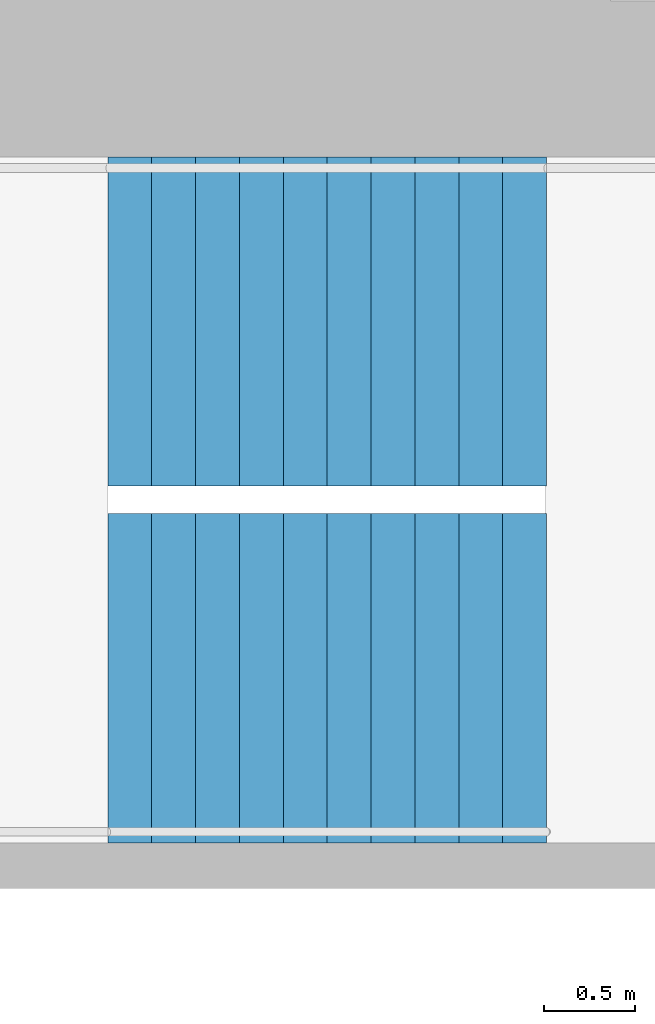
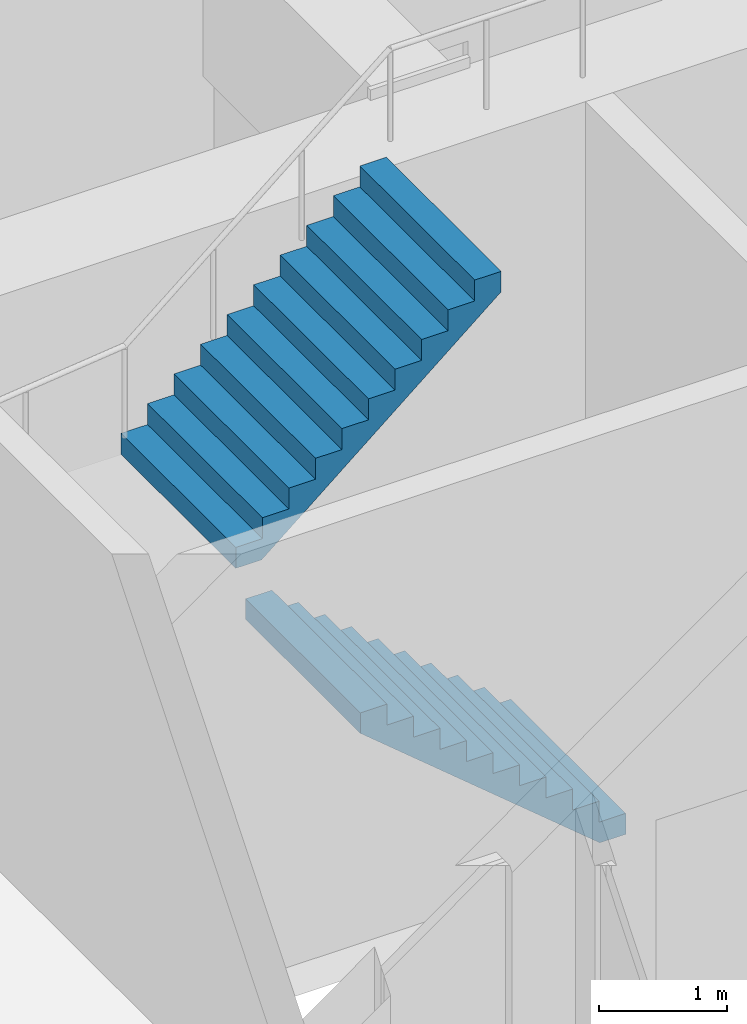
# One storey, part 28 of 30: 2 stair flights, 1 element without a shape of its own.
"""IFC4 building model written with IfcOpenShell, lengths in metres."""

from ifc_helpers import new_model, si_unit, direction, frame, origin, place, context, subcontext, project, spatial, triangles, material, type_object, element, aggregate, save


model = new_model("IFC4")

# Units and contexts
model_context = context("Model", 3, precision=1e-05, world=origin(), true_north=direction((0.0, 1.0)))
body_context = subcontext(model_context, "Body", "Model", "MODEL_VIEW")
ifc_project = project(units=[si_unit("LENGTHUNIT", "METRE"), si_unit("AREAUNIT", "SQUARE_METRE"), si_unit("VOLUMEUNIT", "CUBIC_METRE"), si_unit("PLANEANGLEUNIT", "RADIAN"), si_unit("MASSUNIT", "GRAM", prefix="KILO")], contexts=[model_context])

# Site, building, storey
site_placement = place(None, origin())
site = spatial("IfcSite", under=ifc_project, at=site_placement, CompositionType="ELEMENT")
building_placement = place(site_placement, origin())
building = spatial("IfcBuilding", under=site, at=building_placement, Name="Hakoniwa Tower and Hamabe Station Hall", CompositionType="ELEMENT")
storey_placement = place(building_placement, frame((0.0, 0.0, 64.60009765625)))
storey = spatial("IfcBuildingStorey", under=building, at=storey_placement, Name="L18", CompositionType="ELEMENT", Elevation=64.60009765625)

# Stair, stair flights
ifc_material_1 = material(Name="Concrete C40", Category="concrete")
stair_type = type_object("IfcStairType", Name="ESCAPE STAIR 1800", PredefinedType="HALF_TURN_STAIR", material=ifc_material_1)
stair_placement = place(storey_placement, origin())
stair = element("IfcStair", 1, at=stair_placement, inside=storey, type_object=stair_type, Name="Escape stair ST-3 L18", PredefinedType="HALF_TURN_STAIR")
ifc_material_2 = material(Name="Concrete C40", Category="concrete")
stair_flight_type = type_object("IfcStairFlightType", Name="STAIR FLIGHT 1800", PredefinedType="STRAIGHT", material=ifc_material_2)
stair_flight_1_placement = place(storey_placement, frame((24.39990234375, 4.64990234375, 0.0), z_axis=(0.0, 0.0, 1.0), x_axis=(-1.0, 0.0, 0.0)))
stair_flight_1 = element("IfcStairFlight", 2, at=stair_flight_1_placement, type_object=stair_flight_type, Name="ST-3 flight 1", NumberOfRisers=11, NumberOfTreads=10, PredefinedType="STRAIGHT", RiserHeight=0.2, TreadLength=0.24, context=body_context, shape_type="Tessellation", body=[
    triangles([(0.0, 0.89990234375, 0.0), (0.234130859375, 0.89990234375, 0.0), (0.239990234375, 0.89990234375, 0.0048828125), (0.47998046875, 0.89990234375, 0.204833984375), (0.719970703125, 0.89990234375, 0.40478515625), (0.9599609375, 0.89990234375, 0.60498046875), (1.199951171875, 0.89990234375, 0.804931640625), (1.43994140625, 0.89990234375, 1.0048828125), (1.679931640625, 0.89990234375, 1.204833984375), (1.919921875, 0.89990234375, 1.40478515625), (2.159912109375, 0.89990234375, 1.60498046875), (2.39990234375, 0.89990234375, 1.804931640625), (2.39990234375, 0.89990234375, 2.0), (2.159912109375, 0.89990234375, 2.0), (2.159912109375, 0.89990234375, 1.800048828125), (1.919921875, 0.89990234375, 1.800048828125), (1.919921875, 0.89990234375, 1.60009765625), (1.679931640625, 0.89990234375, 1.60009765625), (1.679931640625, 0.89990234375, 1.39990234375), (1.43994140625, 0.89990234375, 1.39990234375), (1.43994140625, 0.89990234375, 1.199951171875), (1.199951171875, 0.89990234375, 1.199951171875), (1.199951171875, 0.89990234375, 1.0), (0.9599609375, 0.89990234375, 1.0), (0.9599609375, 0.89990234375, 0.800048828125), (0.719970703125, 0.89990234375, 0.800048828125), (0.719970703125, 0.89990234375, 0.60009765625), (0.47998046875, 0.89990234375, 0.60009765625), (0.47998046875, 0.89990234375, 0.39990234375), (0.239990234375, 0.89990234375, 0.39990234375), (0.239990234375, 0.89990234375, 0.199951171875), (0.234130859375, 0.89990234375, 0.199951171875), (0.0, 0.89990234375, 0.199951171875), (0.0, 0.06005859375, 0.0), (0.234130859375, 0.06005859375, 0.0), (0.239990234375, 0.06005859375, 0.0048828125), (0.47998046875, 0.06005859375, 0.204833984375), (0.719970703125, 0.06005859375, 0.40478515625), (0.9599609375, 0.06005859375, 0.60498046875), (1.199951171875, 0.06005859375, 0.804931640625), (1.43994140625, 0.06005859375, 1.0048828125), (1.679931640625, 0.06005859375, 1.204833984375), (1.919921875, 0.06005859375, 1.40478515625), (2.159912109375, 0.06005859375, 1.60498046875), (2.39990234375, 0.06005859375, 1.804931640625), (2.39990234375, 0.06005859375, 2.0), (2.159912109375, 0.06005859375, 2.0), (2.159912109375, 0.06005859375, 1.800048828125), (1.919921875, 0.06005859375, 1.800048828125), (1.919921875, 0.06005859375, 1.60009765625), (1.679931640625, 0.06005859375, 1.60009765625), (1.679931640625, 0.06005859375, 1.39990234375), (1.43994140625, 0.06005859375, 1.39990234375), (1.43994140625, 0.06005859375, 1.199951171875), (1.199951171875, 0.06005859375, 1.199951171875), (1.199951171875, 0.06005859375, 1.0), (0.9599609375, 0.06005859375, 1.0), (0.9599609375, 0.06005859375, 0.800048828125), (0.719970703125, 0.06005859375, 0.800048828125), (0.719970703125, 0.06005859375, 0.60009765625), (0.47998046875, 0.06005859375, 0.60009765625), (0.47998046875, 0.06005859375, 0.39990234375), (0.239990234375, 0.06005859375, 0.39990234375), (0.239990234375, 0.06005859375, 0.199951171875), (0.234130859375, 0.06005859375, 0.199951171875), (0.0, 0.06005859375, 0.199951171875), (0.0, 0.02001953125, 0.0), (0.234130859375, 0.02001953125, 0.0), (0.239990234375, 0.02001953125, 0.0048828125), (0.47998046875, 0.02001953125, 0.204833984375), (0.719970703125, 0.02001953125, 0.40478515625), (0.9599609375, 0.02001953125, 0.60498046875), (1.199951171875, 0.02001953125, 0.804931640625), (1.43994140625, 0.02001953125, 1.0048828125), (1.679931640625, 0.02001953125, 1.204833984375), (1.919921875, 0.02001953125, 1.40478515625), (2.159912109375, 0.02001953125, 1.60498046875), (2.39990234375, 0.02001953125, 1.804931640625), (2.39990234375, 0.02001953125, 2.0), (2.159912109375, 0.02001953125, 2.0), (2.159912109375, 0.02001953125, 1.800048828125), (1.919921875, 0.02001953125, 1.800048828125), (1.919921875, 0.02001953125, 1.60009765625), (1.679931640625, 0.02001953125, 1.60009765625), (1.679931640625, 0.02001953125, 1.39990234375), (1.43994140625, 0.02001953125, 1.39990234375), (1.43994140625, 0.02001953125, 1.199951171875), (1.199951171875, 0.02001953125, 1.199951171875), (1.199951171875, 0.02001953125, 1.0), (0.9599609375, 0.02001953125, 1.0), (0.9599609375, 0.02001953125, 0.800048828125), (0.719970703125, 0.02001953125, 0.800048828125), (0.719970703125, 0.02001953125, 0.60009765625), (0.47998046875, 0.02001953125, 0.60009765625), (0.47998046875, 0.02001953125, 0.39990234375), (0.239990234375, 0.02001953125, 0.39990234375), (0.239990234375, 0.02001953125, 0.199951171875), (0.234130859375, 0.02001953125, 0.199951171875), (0.0, 0.02001953125, 0.199951171875), (0.0, -0.02001953125, 0.0), (0.234130859375, -0.02001953125, 0.0), (0.239990234375, -0.02001953125, 0.0048828125), (0.47998046875, -0.02001953125, 0.204833984375), (0.719970703125, -0.02001953125, 0.40478515625), (0.9599609375, -0.02001953125, 0.60498046875), (1.199951171875, -0.02001953125, 0.804931640625), (1.43994140625, -0.02001953125, 1.0048828125), (1.679931640625, -0.02001953125, 1.204833984375), (1.919921875, -0.02001953125, 1.40478515625), (2.159912109375, -0.02001953125, 1.60498046875), (2.39990234375, -0.02001953125, 1.804931640625), (2.39990234375, -0.02001953125, 2.0), (2.159912109375, -0.02001953125, 2.0), (2.159912109375, -0.02001953125, 1.800048828125), (1.919921875, -0.02001953125, 1.800048828125), (1.919921875, -0.02001953125, 1.60009765625), (1.679931640625, -0.02001953125, 1.60009765625), (1.679931640625, -0.02001953125, 1.39990234375), (1.43994140625, -0.02001953125, 1.39990234375), (1.43994140625, -0.02001953125, 1.199951171875), (1.199951171875, -0.02001953125, 1.199951171875), (1.199951171875, -0.02001953125, 1.0), (0.9599609375, -0.02001953125, 1.0), (0.9599609375, -0.02001953125, 0.800048828125), (0.719970703125, -0.02001953125, 0.800048828125), (0.719970703125, -0.02001953125, 0.60009765625), (0.47998046875, -0.02001953125, 0.60009765625), (0.47998046875, -0.02001953125, 0.39990234375), (0.239990234375, -0.02001953125, 0.39990234375), (0.239990234375, -0.02001953125, 0.199951171875), (0.234130859375, -0.02001953125, 0.199951171875), (0.0, -0.02001953125, 0.199951171875), (0.0, -0.06005859375, 0.0), (0.234130859375, -0.06005859375, 0.0), (0.239990234375, -0.06005859375, 0.0048828125), (0.47998046875, -0.06005859375, 0.204833984375), (0.719970703125, -0.06005859375, 0.40478515625), (0.9599609375, -0.06005859375, 0.60498046875), (1.199951171875, -0.06005859375, 0.804931640625), (1.43994140625, -0.06005859375, 1.0048828125), (1.679931640625, -0.06005859375, 1.204833984375), (1.919921875, -0.06005859375, 1.40478515625), (2.159912109375, -0.06005859375, 1.60498046875), (2.39990234375, -0.06005859375, 1.804931640625), (2.39990234375, -0.06005859375, 2.0), (2.159912109375, -0.06005859375, 2.0), (2.159912109375, -0.06005859375, 1.800048828125), (1.919921875, -0.06005859375, 1.800048828125), (1.919921875, -0.06005859375, 1.60009765625), (1.679931640625, -0.06005859375, 1.60009765625), (1.679931640625, -0.06005859375, 1.39990234375), (1.43994140625, -0.06005859375, 1.39990234375), (1.43994140625, -0.06005859375, 1.199951171875), (1.199951171875, -0.06005859375, 1.199951171875), (1.199951171875, -0.06005859375, 1.0), (0.9599609375, -0.06005859375, 1.0), (0.9599609375, -0.06005859375, 0.800048828125), (0.719970703125, -0.06005859375, 0.800048828125), (0.719970703125, -0.06005859375, 0.60009765625), (0.47998046875, -0.06005859375, 0.60009765625), (0.47998046875, -0.06005859375, 0.39990234375), (0.239990234375, -0.06005859375, 0.39990234375), (0.239990234375, -0.06005859375, 0.199951171875), (0.234130859375, -0.06005859375, 0.199951171875), (0.0, -0.06005859375, 0.199951171875), (0.0, -0.89990234375, 0.0), (0.234130859375, -0.89990234375, 0.0), (0.239990234375, -0.89990234375, 0.0048828125), (0.47998046875, -0.89990234375, 0.204833984375), (0.719970703125, -0.89990234375, 0.40478515625), (0.9599609375, -0.89990234375, 0.60498046875), (1.199951171875, -0.89990234375, 0.804931640625), (1.43994140625, -0.89990234375, 1.0048828125), (1.679931640625, -0.89990234375, 1.204833984375), (1.919921875, -0.89990234375, 1.40478515625), (2.159912109375, -0.89990234375, 1.60498046875), (2.39990234375, -0.89990234375, 1.804931640625), (2.39990234375, -0.89990234375, 2.0), (2.159912109375, -0.89990234375, 2.0), (2.159912109375, -0.89990234375, 1.800048828125), (1.919921875, -0.89990234375, 1.800048828125), (1.919921875, -0.89990234375, 1.60009765625), (1.679931640625, -0.89990234375, 1.60009765625), (1.679931640625, -0.89990234375, 1.39990234375), (1.43994140625, -0.89990234375, 1.39990234375), (1.43994140625, -0.89990234375, 1.199951171875), (1.199951171875, -0.89990234375, 1.199951171875), (1.199951171875, -0.89990234375, 1.0), (0.9599609375, -0.89990234375, 1.0), (0.9599609375, -0.89990234375, 0.800048828125), (0.719970703125, -0.89990234375, 0.800048828125), (0.719970703125, -0.89990234375, 0.60009765625), (0.47998046875, -0.89990234375, 0.60009765625), (0.47998046875, -0.89990234375, 0.39990234375), (0.239990234375, -0.89990234375, 0.39990234375), (0.239990234375, -0.89990234375, 0.199951171875), (0.234130859375, -0.89990234375, 0.199951171875), (0.0, -0.89990234375, 0.199951171875)], [[2, 33, 32], [167, 197, 198], [2, 1, 33], [167, 198, 166], [3, 32, 31], [168, 196, 197], [3, 2, 32], [168, 197, 167], [4, 30, 29], [169, 194, 195], [4, 31, 30], [169, 195, 196], [4, 3, 31], [169, 196, 168], [5, 28, 27], [170, 192, 193], [5, 29, 28], [170, 193, 194], [5, 4, 29], [170, 194, 169], [6, 26, 25], [171, 190, 191], [6, 27, 26], [171, 191, 192], [6, 5, 27], [171, 192, 170], [7, 24, 23], [172, 188, 189], [7, 25, 24], [172, 189, 190], [7, 6, 25], [172, 190, 171], [8, 22, 21], [173, 186, 187], [8, 23, 22], [173, 187, 188], [8, 7, 23], [173, 188, 172], [9, 20, 19], [174, 184, 185], [9, 21, 20], [174, 185, 186], [9, 8, 21], [174, 186, 173], [10, 18, 17], [175, 182, 183], [10, 19, 18], [175, 183, 184], [10, 9, 19], [175, 184, 174], [11, 16, 15], [176, 180, 181], [11, 17, 16], [176, 181, 182], [11, 10, 17], [176, 182, 175], [12, 14, 13], [177, 178, 179], [12, 15, 14], [177, 179, 180], [12, 11, 15], [177, 180, 176], [1, 2, 35], [1, 35, 34], [34, 35, 68], [34, 68, 67], [67, 68, 101], [67, 101, 100], [100, 101, 134], [100, 134, 133], [133, 134, 167], [133, 167, 166], [2, 3, 36], [2, 36, 35], [35, 36, 69], [35, 69, 68], [68, 69, 102], [68, 102, 101], [101, 102, 135], [101, 135, 134], [134, 135, 168], [134, 168, 167], [3, 4, 37], [3, 37, 36], [36, 37, 70], [36, 70, 69], [69, 70, 103], [69, 103, 102], [102, 103, 136], [102, 136, 135], [135, 136, 169], [135, 169, 168], [4, 5, 38], [4, 38, 37], [37, 38, 71], [37, 71, 70], [70, 71, 104], [70, 104, 103], [103, 104, 137], [103, 137, 136], [136, 137, 170], [136, 170, 169], [5, 6, 39], [5, 39, 38], [38, 39, 72], [38, 72, 71], [71, 72, 105], [71, 105, 104], [104, 105, 138], [104, 138, 137], [137, 138, 171], [137, 171, 170], [6, 7, 40], [6, 40, 39], [39, 40, 73], [39, 73, 72], [72, 73, 106], [72, 106, 105], [105, 106, 139], [105, 139, 138], [138, 139, 172], [138, 172, 171], [7, 8, 41], [7, 41, 40], [40, 41, 74], [40, 74, 73], [73, 74, 107], [73, 107, 106], [106, 107, 140], [106, 140, 139], [139, 140, 173], [139, 173, 172], [8, 9, 42], [8, 42, 41], [41, 42, 75], [41, 75, 74], [74, 75, 108], [74, 108, 107], [107, 108, 141], [107, 141, 140], [140, 141, 174], [140, 174, 173], [9, 10, 43], [9, 43, 42], [42, 43, 76], [42, 76, 75], [75, 76, 109], [75, 109, 108], [108, 109, 142], [108, 142, 141], [141, 142, 175], [141, 175, 174], [10, 11, 44], [10, 44, 43], [43, 44, 77], [43, 77, 76], [76, 77, 110], [76, 110, 109], [109, 110, 143], [109, 143, 142], [142, 143, 176], [142, 176, 175], [11, 12, 45], [11, 45, 44], [44, 45, 78], [44, 78, 77], [77, 78, 111], [77, 111, 110], [110, 111, 144], [110, 144, 143], [143, 144, 177], [143, 177, 176], [12, 13, 46], [12, 46, 45], [45, 46, 79], [45, 79, 78], [78, 79, 112], [78, 112, 111], [111, 112, 145], [111, 145, 144], [144, 145, 178], [144, 178, 177], [13, 14, 47], [13, 47, 46], [46, 47, 80], [46, 80, 79], [79, 80, 113], [79, 113, 112], [112, 113, 146], [112, 146, 145], [145, 146, 179], [145, 179, 178], [14, 15, 48], [14, 48, 47], [47, 48, 81], [47, 81, 80], [80, 81, 114], [80, 114, 113], [113, 114, 147], [113, 147, 146], [146, 147, 180], [146, 180, 179], [15, 16, 49], [15, 49, 48], [48, 49, 82], [48, 82, 81], [81, 82, 115], [81, 115, 114], [114, 115, 148], [114, 148, 147], [147, 148, 181], [147, 181, 180], [16, 17, 50], [16, 50, 49], [49, 50, 83], [49, 83, 82], [82, 83, 116], [82, 116, 115], [115, 116, 149], [115, 149, 148], [148, 149, 182], [148, 182, 181], [17, 18, 51], [17, 51, 50], [50, 51, 84], [50, 84, 83], [83, 84, 117], [83, 117, 116], [116, 117, 150], [116, 150, 149], [149, 150, 183], [149, 183, 182], [18, 19, 52], [18, 52, 51], [51, 52, 85], [51, 85, 84], [84, 85, 118], [84, 118, 117], [117, 118, 151], [117, 151, 150], [150, 151, 184], [150, 184, 183], [19, 20, 53], [19, 53, 52], [52, 53, 86], [52, 86, 85], [85, 86, 119], [85, 119, 118], [118, 119, 152], [118, 152, 151], [151, 152, 185], [151, 185, 184], [20, 21, 54], [20, 54, 53], [53, 54, 87], [53, 87, 86], [86, 87, 120], [86, 120, 119], [119, 120, 153], [119, 153, 152], [152, 153, 186], [152, 186, 185], [21, 22, 55], [21, 55, 54], [54, 55, 88], [54, 88, 87], [87, 88, 121], [87, 121, 120], [120, 121, 154], [120, 154, 153], [153, 154, 187], [153, 187, 186], [22, 23, 56], [22, 56, 55], [55, 56, 89], [55, 89, 88], [88, 89, 122], [88, 122, 121], [121, 122, 155], [121, 155, 154], [154, 155, 188], [154, 188, 187], [23, 24, 57], [23, 57, 56], [56, 57, 90], [56, 90, 89], [89, 90, 123], [89, 123, 122], [122, 123, 156], [122, 156, 155], [155, 156, 189], [155, 189, 188], [24, 25, 58], [24, 58, 57], [57, 58, 91], [57, 91, 90], [90, 91, 124], [90, 124, 123], [123, 124, 157], [123, 157, 156], [156, 157, 190], [156, 190, 189], [25, 26, 59], [25, 59, 58], [58, 59, 92], [58, 92, 91], [91, 92, 125], [91, 125, 124], [124, 125, 158], [124, 158, 157], [157, 158, 191], [157, 191, 190], [26, 27, 60], [26, 60, 59], [59, 60, 93], [59, 93, 92], [92, 93, 126], [92, 126, 125], [125, 126, 159], [125, 159, 158], [158, 159, 192], [158, 192, 191], [27, 28, 61], [27, 61, 60], [60, 61, 94], [60, 94, 93], [93, 94, 127], [93, 127, 126], [126, 127, 160], [126, 160, 159], [159, 160, 193], [159, 193, 192], [28, 29, 62], [28, 62, 61], [61, 62, 95], [61, 95, 94], [94, 95, 128], [94, 128, 127], [127, 128, 161], [127, 161, 160], [160, 161, 194], [160, 194, 193], [29, 30, 63], [29, 63, 62], [62, 63, 96], [62, 96, 95], [95, 96, 129], [95, 129, 128], [128, 129, 162], [128, 162, 161], [161, 162, 195], [161, 195, 194], [30, 31, 64], [30, 64, 63], [63, 64, 97], [63, 97, 96], [96, 97, 130], [96, 130, 129], [129, 130, 163], [129, 163, 162], [162, 163, 196], [162, 196, 195], [31, 32, 65], [31, 65, 64], [64, 65, 98], [64, 98, 97], [97, 98, 131], [97, 131, 130], [130, 131, 164], [130, 164, 163], [163, 164, 197], [163, 197, 196], [32, 33, 66], [32, 66, 65], [65, 66, 99], [65, 99, 98], [98, 99, 132], [98, 132, 131], [131, 132, 165], [131, 165, 164], [164, 165, 198], [164, 198, 197], [33, 1, 34], [33, 34, 66], [66, 34, 67], [66, 67, 99], [99, 67, 100], [99, 100, 132], [132, 100, 133], [132, 133, 165], [165, 133, 166], [165, 166, 198]], closed=True),
])
stair_flight_2_placement = place(storey_placement, frame((22.0, 6.60009765625, 2.199951171875), z_axis=(0.0, 0.0, 1.0), x_axis=(1.0, 0.0, 0.0)))
stair_flight_2 = element("IfcStairFlight", 3, at=stair_flight_2_placement, type_object=stair_flight_type, Name="ST-3 flight 2", NumberOfRisers=11, NumberOfTreads=10, PredefinedType="STRAIGHT", RiserHeight=0.2, TreadLength=0.24, context=body_context, shape_type="Tessellation", body=[
    triangles([(0.0, 0.89990234375, 0.0), (0.234130859375, 0.89990234375, 0.0), (0.239990234375, 0.89990234375, 0.0048828125), (0.47998046875, 0.89990234375, 0.204833984375), (0.719970703125, 0.89990234375, 0.40478515625), (0.9599609375, 0.89990234375, 0.60498046875), (1.199951171875, 0.89990234375, 0.804931640625), (1.43994140625, 0.89990234375, 1.0048828125), (1.679931640625, 0.89990234375, 1.204833984375), (1.919921875, 0.89990234375, 1.40478515625), (2.159912109375, 0.89990234375, 1.60498046875), (2.39990234375, 0.89990234375, 1.804931640625), (2.39990234375, 0.89990234375, 2.0), (2.159912109375, 0.89990234375, 2.0), (2.159912109375, 0.89990234375, 1.800048828125), (1.919921875, 0.89990234375, 1.800048828125), (1.919921875, 0.89990234375, 1.60009765625), (1.679931640625, 0.89990234375, 1.60009765625), (1.679931640625, 0.89990234375, 1.39990234375), (1.43994140625, 0.89990234375, 1.39990234375), (1.43994140625, 0.89990234375, 1.199951171875), (1.199951171875, 0.89990234375, 1.199951171875), (1.199951171875, 0.89990234375, 1.0), (0.9599609375, 0.89990234375, 1.0), (0.9599609375, 0.89990234375, 0.800048828125), (0.719970703125, 0.89990234375, 0.800048828125), (0.719970703125, 0.89990234375, 0.60009765625), (0.47998046875, 0.89990234375, 0.60009765625), (0.47998046875, 0.89990234375, 0.39990234375), (0.239990234375, 0.89990234375, 0.39990234375), (0.239990234375, 0.89990234375, 0.199951171875), (0.234130859375, 0.89990234375, 0.199951171875), (0.0, 0.89990234375, 0.199951171875), (0.0, 0.06005859375, 0.0), (0.234130859375, 0.06005859375, 0.0), (0.239990234375, 0.06005859375, 0.0048828125), (0.47998046875, 0.06005859375, 0.204833984375), (0.719970703125, 0.06005859375, 0.40478515625), (0.9599609375, 0.06005859375, 0.60498046875), (1.199951171875, 0.06005859375, 0.804931640625), (1.43994140625, 0.06005859375, 1.0048828125), (1.679931640625, 0.06005859375, 1.204833984375), (1.919921875, 0.06005859375, 1.40478515625), (2.159912109375, 0.06005859375, 1.60498046875), (2.39990234375, 0.06005859375, 1.804931640625), (2.39990234375, 0.06005859375, 2.0), (2.159912109375, 0.06005859375, 2.0), (2.159912109375, 0.06005859375, 1.800048828125), (1.919921875, 0.06005859375, 1.800048828125), (1.919921875, 0.06005859375, 1.60009765625), (1.679931640625, 0.06005859375, 1.60009765625), (1.679931640625, 0.06005859375, 1.39990234375), (1.43994140625, 0.06005859375, 1.39990234375), (1.43994140625, 0.06005859375, 1.199951171875), (1.199951171875, 0.06005859375, 1.199951171875), (1.199951171875, 0.06005859375, 1.0), (0.9599609375, 0.06005859375, 1.0), (0.9599609375, 0.06005859375, 0.800048828125), (0.719970703125, 0.06005859375, 0.800048828125), (0.719970703125, 0.06005859375, 0.60009765625), (0.47998046875, 0.06005859375, 0.60009765625), (0.47998046875, 0.06005859375, 0.39990234375), (0.239990234375, 0.06005859375, 0.39990234375), (0.239990234375, 0.06005859375, 0.199951171875), (0.234130859375, 0.06005859375, 0.199951171875), (0.0, 0.06005859375, 0.199951171875), (0.0, 0.02001953125, 0.0), (0.234130859375, 0.02001953125, 0.0), (0.239990234375, 0.02001953125, 0.0048828125), (0.47998046875, 0.02001953125, 0.204833984375), (0.719970703125, 0.02001953125, 0.40478515625), (0.9599609375, 0.02001953125, 0.60498046875), (1.199951171875, 0.02001953125, 0.804931640625), (1.43994140625, 0.02001953125, 1.0048828125), (1.679931640625, 0.02001953125, 1.204833984375), (1.919921875, 0.02001953125, 1.40478515625), (2.159912109375, 0.02001953125, 1.60498046875), (2.39990234375, 0.02001953125, 1.804931640625), (2.39990234375, 0.02001953125, 2.0), (2.159912109375, 0.02001953125, 2.0), (2.159912109375, 0.02001953125, 1.800048828125), (1.919921875, 0.02001953125, 1.800048828125), (1.919921875, 0.02001953125, 1.60009765625), (1.679931640625, 0.02001953125, 1.60009765625), (1.679931640625, 0.02001953125, 1.39990234375), (1.43994140625, 0.02001953125, 1.39990234375), (1.43994140625, 0.02001953125, 1.199951171875), (1.199951171875, 0.02001953125, 1.199951171875), (1.199951171875, 0.02001953125, 1.0), (0.9599609375, 0.02001953125, 1.0), (0.9599609375, 0.02001953125, 0.800048828125), (0.719970703125, 0.02001953125, 0.800048828125), (0.719970703125, 0.02001953125, 0.60009765625), (0.47998046875, 0.02001953125, 0.60009765625), (0.47998046875, 0.02001953125, 0.39990234375), (0.239990234375, 0.02001953125, 0.39990234375), (0.239990234375, 0.02001953125, 0.199951171875), (0.234130859375, 0.02001953125, 0.199951171875), (0.0, 0.02001953125, 0.199951171875), (0.0, -0.02001953125, 0.0), (0.234130859375, -0.02001953125, 0.0), (0.239990234375, -0.02001953125, 0.0048828125), (0.47998046875, -0.02001953125, 0.204833984375), (0.719970703125, -0.02001953125, 0.40478515625), (0.9599609375, -0.02001953125, 0.60498046875), (1.199951171875, -0.02001953125, 0.804931640625), (1.43994140625, -0.02001953125, 1.0048828125), (1.679931640625, -0.02001953125, 1.204833984375), (1.919921875, -0.02001953125, 1.40478515625), (2.159912109375, -0.02001953125, 1.60498046875), (2.39990234375, -0.02001953125, 1.804931640625), (2.39990234375, -0.02001953125, 2.0), (2.159912109375, -0.02001953125, 2.0), (2.159912109375, -0.02001953125, 1.800048828125), (1.919921875, -0.02001953125, 1.800048828125), (1.919921875, -0.02001953125, 1.60009765625), (1.679931640625, -0.02001953125, 1.60009765625), (1.679931640625, -0.02001953125, 1.39990234375), (1.43994140625, -0.02001953125, 1.39990234375), (1.43994140625, -0.02001953125, 1.199951171875), (1.199951171875, -0.02001953125, 1.199951171875), (1.199951171875, -0.02001953125, 1.0), (0.9599609375, -0.02001953125, 1.0), (0.9599609375, -0.02001953125, 0.800048828125), (0.719970703125, -0.02001953125, 0.800048828125), (0.719970703125, -0.02001953125, 0.60009765625), (0.47998046875, -0.02001953125, 0.60009765625), (0.47998046875, -0.02001953125, 0.39990234375), (0.239990234375, -0.02001953125, 0.39990234375), (0.239990234375, -0.02001953125, 0.199951171875), (0.234130859375, -0.02001953125, 0.199951171875), (0.0, -0.02001953125, 0.199951171875), (0.0, -0.06005859375, 0.0), (0.234130859375, -0.06005859375, 0.0), (0.239990234375, -0.06005859375, 0.0048828125), (0.47998046875, -0.06005859375, 0.204833984375), (0.719970703125, -0.06005859375, 0.40478515625), (0.9599609375, -0.06005859375, 0.60498046875), (1.199951171875, -0.06005859375, 0.804931640625), (1.43994140625, -0.06005859375, 1.0048828125), (1.679931640625, -0.06005859375, 1.204833984375), (1.919921875, -0.06005859375, 1.40478515625), (2.159912109375, -0.06005859375, 1.60498046875), (2.39990234375, -0.06005859375, 1.804931640625), (2.39990234375, -0.06005859375, 2.0), (2.159912109375, -0.06005859375, 2.0), (2.159912109375, -0.06005859375, 1.800048828125), (1.919921875, -0.06005859375, 1.800048828125), (1.919921875, -0.06005859375, 1.60009765625), (1.679931640625, -0.06005859375, 1.60009765625), (1.679931640625, -0.06005859375, 1.39990234375), (1.43994140625, -0.06005859375, 1.39990234375), (1.43994140625, -0.06005859375, 1.199951171875), (1.199951171875, -0.06005859375, 1.199951171875), (1.199951171875, -0.06005859375, 1.0), (0.9599609375, -0.06005859375, 1.0), (0.9599609375, -0.06005859375, 0.800048828125), (0.719970703125, -0.06005859375, 0.800048828125), (0.719970703125, -0.06005859375, 0.60009765625), (0.47998046875, -0.06005859375, 0.60009765625), (0.47998046875, -0.06005859375, 0.39990234375), (0.239990234375, -0.06005859375, 0.39990234375), (0.239990234375, -0.06005859375, 0.199951171875), (0.234130859375, -0.06005859375, 0.199951171875), (0.0, -0.06005859375, 0.199951171875), (0.0, -0.89990234375, 0.0), (0.234130859375, -0.89990234375, 0.0), (0.239990234375, -0.89990234375, 0.0048828125), (0.47998046875, -0.89990234375, 0.204833984375), (0.719970703125, -0.89990234375, 0.40478515625), (0.9599609375, -0.89990234375, 0.60498046875), (1.199951171875, -0.89990234375, 0.804931640625), (1.43994140625, -0.89990234375, 1.0048828125), (1.679931640625, -0.89990234375, 1.204833984375), (1.919921875, -0.89990234375, 1.40478515625), (2.159912109375, -0.89990234375, 1.60498046875), (2.39990234375, -0.89990234375, 1.804931640625), (2.39990234375, -0.89990234375, 2.0), (2.159912109375, -0.89990234375, 2.0), (2.159912109375, -0.89990234375, 1.800048828125), (1.919921875, -0.89990234375, 1.800048828125), (1.919921875, -0.89990234375, 1.60009765625), (1.679931640625, -0.89990234375, 1.60009765625), (1.679931640625, -0.89990234375, 1.39990234375), (1.43994140625, -0.89990234375, 1.39990234375), (1.43994140625, -0.89990234375, 1.199951171875), (1.199951171875, -0.89990234375, 1.199951171875), (1.199951171875, -0.89990234375, 1.0), (0.9599609375, -0.89990234375, 1.0), (0.9599609375, -0.89990234375, 0.800048828125), (0.719970703125, -0.89990234375, 0.800048828125), (0.719970703125, -0.89990234375, 0.60009765625), (0.47998046875, -0.89990234375, 0.60009765625), (0.47998046875, -0.89990234375, 0.39990234375), (0.239990234375, -0.89990234375, 0.39990234375), (0.239990234375, -0.89990234375, 0.199951171875), (0.234130859375, -0.89990234375, 0.199951171875), (0.0, -0.89990234375, 0.199951171875)], [[2, 33, 32], [167, 197, 198], [2, 1, 33], [167, 198, 166], [3, 32, 31], [168, 196, 197], [3, 2, 32], [168, 197, 167], [4, 30, 29], [169, 194, 195], [4, 31, 30], [169, 195, 196], [4, 3, 31], [169, 196, 168], [5, 28, 27], [170, 192, 193], [5, 29, 28], [170, 193, 194], [5, 4, 29], [170, 194, 169], [6, 26, 25], [171, 190, 191], [6, 27, 26], [171, 191, 192], [6, 5, 27], [171, 192, 170], [7, 24, 23], [172, 188, 189], [7, 25, 24], [172, 189, 190], [7, 6, 25], [172, 190, 171], [8, 22, 21], [173, 186, 187], [8, 23, 22], [173, 187, 188], [8, 7, 23], [173, 188, 172], [9, 20, 19], [174, 184, 185], [9, 21, 20], [174, 185, 186], [9, 8, 21], [174, 186, 173], [10, 18, 17], [175, 182, 183], [10, 19, 18], [175, 183, 184], [10, 9, 19], [175, 184, 174], [11, 16, 15], [176, 180, 181], [11, 17, 16], [176, 181, 182], [11, 10, 17], [176, 182, 175], [12, 14, 13], [177, 178, 179], [12, 15, 14], [177, 179, 180], [12, 11, 15], [177, 180, 176], [1, 2, 35], [1, 35, 34], [34, 35, 68], [34, 68, 67], [67, 68, 101], [67, 101, 100], [100, 101, 134], [100, 134, 133], [133, 134, 167], [133, 167, 166], [2, 3, 36], [2, 36, 35], [35, 36, 69], [35, 69, 68], [68, 69, 102], [68, 102, 101], [101, 102, 135], [101, 135, 134], [134, 135, 168], [134, 168, 167], [3, 4, 37], [3, 37, 36], [36, 37, 70], [36, 70, 69], [69, 70, 103], [69, 103, 102], [102, 103, 136], [102, 136, 135], [135, 136, 169], [135, 169, 168], [4, 5, 38], [4, 38, 37], [37, 38, 71], [37, 71, 70], [70, 71, 104], [70, 104, 103], [103, 104, 137], [103, 137, 136], [136, 137, 170], [136, 170, 169], [5, 6, 39], [5, 39, 38], [38, 39, 72], [38, 72, 71], [71, 72, 105], [71, 105, 104], [104, 105, 138], [104, 138, 137], [137, 138, 171], [137, 171, 170], [6, 7, 40], [6, 40, 39], [39, 40, 73], [39, 73, 72], [72, 73, 106], [72, 106, 105], [105, 106, 139], [105, 139, 138], [138, 139, 172], [138, 172, 171], [7, 8, 41], [7, 41, 40], [40, 41, 74], [40, 74, 73], [73, 74, 107], [73, 107, 106], [106, 107, 140], [106, 140, 139], [139, 140, 173], [139, 173, 172], [8, 9, 42], [8, 42, 41], [41, 42, 75], [41, 75, 74], [74, 75, 108], [74, 108, 107], [107, 108, 141], [107, 141, 140], [140, 141, 174], [140, 174, 173], [9, 10, 43], [9, 43, 42], [42, 43, 76], [42, 76, 75], [75, 76, 109], [75, 109, 108], [108, 109, 142], [108, 142, 141], [141, 142, 175], [141, 175, 174], [10, 11, 44], [10, 44, 43], [43, 44, 77], [43, 77, 76], [76, 77, 110], [76, 110, 109], [109, 110, 143], [109, 143, 142], [142, 143, 176], [142, 176, 175], [11, 12, 45], [11, 45, 44], [44, 45, 78], [44, 78, 77], [77, 78, 111], [77, 111, 110], [110, 111, 144], [110, 144, 143], [143, 144, 177], [143, 177, 176], [12, 13, 46], [12, 46, 45], [45, 46, 79], [45, 79, 78], [78, 79, 112], [78, 112, 111], [111, 112, 145], [111, 145, 144], [144, 145, 178], [144, 178, 177], [13, 14, 47], [13, 47, 46], [46, 47, 80], [46, 80, 79], [79, 80, 113], [79, 113, 112], [112, 113, 146], [112, 146, 145], [145, 146, 179], [145, 179, 178], [14, 15, 48], [14, 48, 47], [47, 48, 81], [47, 81, 80], [80, 81, 114], [80, 114, 113], [113, 114, 147], [113, 147, 146], [146, 147, 180], [146, 180, 179], [15, 16, 49], [15, 49, 48], [48, 49, 82], [48, 82, 81], [81, 82, 115], [81, 115, 114], [114, 115, 148], [114, 148, 147], [147, 148, 181], [147, 181, 180], [16, 17, 50], [16, 50, 49], [49, 50, 83], [49, 83, 82], [82, 83, 116], [82, 116, 115], [115, 116, 149], [115, 149, 148], [148, 149, 182], [148, 182, 181], [17, 18, 51], [17, 51, 50], [50, 51, 84], [50, 84, 83], [83, 84, 117], [83, 117, 116], [116, 117, 150], [116, 150, 149], [149, 150, 183], [149, 183, 182], [18, 19, 52], [18, 52, 51], [51, 52, 85], [51, 85, 84], [84, 85, 118], [84, 118, 117], [117, 118, 151], [117, 151, 150], [150, 151, 184], [150, 184, 183], [19, 20, 53], [19, 53, 52], [52, 53, 86], [52, 86, 85], [85, 86, 119], [85, 119, 118], [118, 119, 152], [118, 152, 151], [151, 152, 185], [151, 185, 184], [20, 21, 54], [20, 54, 53], [53, 54, 87], [53, 87, 86], [86, 87, 120], [86, 120, 119], [119, 120, 153], [119, 153, 152], [152, 153, 186], [152, 186, 185], [21, 22, 55], [21, 55, 54], [54, 55, 88], [54, 88, 87], [87, 88, 121], [87, 121, 120], [120, 121, 154], [120, 154, 153], [153, 154, 187], [153, 187, 186], [22, 23, 56], [22, 56, 55], [55, 56, 89], [55, 89, 88], [88, 89, 122], [88, 122, 121], [121, 122, 155], [121, 155, 154], [154, 155, 188], [154, 188, 187], [23, 24, 57], [23, 57, 56], [56, 57, 90], [56, 90, 89], [89, 90, 123], [89, 123, 122], [122, 123, 156], [122, 156, 155], [155, 156, 189], [155, 189, 188], [24, 25, 58], [24, 58, 57], [57, 58, 91], [57, 91, 90], [90, 91, 124], [90, 124, 123], [123, 124, 157], [123, 157, 156], [156, 157, 190], [156, 190, 189], [25, 26, 59], [25, 59, 58], [58, 59, 92], [58, 92, 91], [91, 92, 125], [91, 125, 124], [124, 125, 158], [124, 158, 157], [157, 158, 191], [157, 191, 190], [26, 27, 60], [26, 60, 59], [59, 60, 93], [59, 93, 92], [92, 93, 126], [92, 126, 125], [125, 126, 159], [125, 159, 158], [158, 159, 192], [158, 192, 191], [27, 28, 61], [27, 61, 60], [60, 61, 94], [60, 94, 93], [93, 94, 127], [93, 127, 126], [126, 127, 160], [126, 160, 159], [159, 160, 193], [159, 193, 192], [28, 29, 62], [28, 62, 61], [61, 62, 95], [61, 95, 94], [94, 95, 128], [94, 128, 127], [127, 128, 161], [127, 161, 160], [160, 161, 194], [160, 194, 193], [29, 30, 63], [29, 63, 62], [62, 63, 96], [62, 96, 95], [95, 96, 129], [95, 129, 128], [128, 129, 162], [128, 162, 161], [161, 162, 195], [161, 195, 194], [30, 31, 64], [30, 64, 63], [63, 64, 97], [63, 97, 96], [96, 97, 130], [96, 130, 129], [129, 130, 163], [129, 163, 162], [162, 163, 196], [162, 196, 195], [31, 32, 65], [31, 65, 64], [64, 65, 98], [64, 98, 97], [97, 98, 131], [97, 131, 130], [130, 131, 164], [130, 164, 163], [163, 164, 197], [163, 197, 196], [32, 33, 66], [32, 66, 65], [65, 66, 99], [65, 99, 98], [98, 99, 132], [98, 132, 131], [131, 132, 165], [131, 165, 164], [164, 165, 198], [164, 198, 197], [33, 1, 34], [33, 34, 66], [66, 34, 67], [66, 67, 99], [99, 67, 100], [99, 100, 132], [132, 100, 133], [132, 133, 165], [165, 133, 166], [165, 166, 198]], closed=True),
])
aggregate(stair, [stair_flight_1, stair_flight_2])

save(model, "model.ifc")
